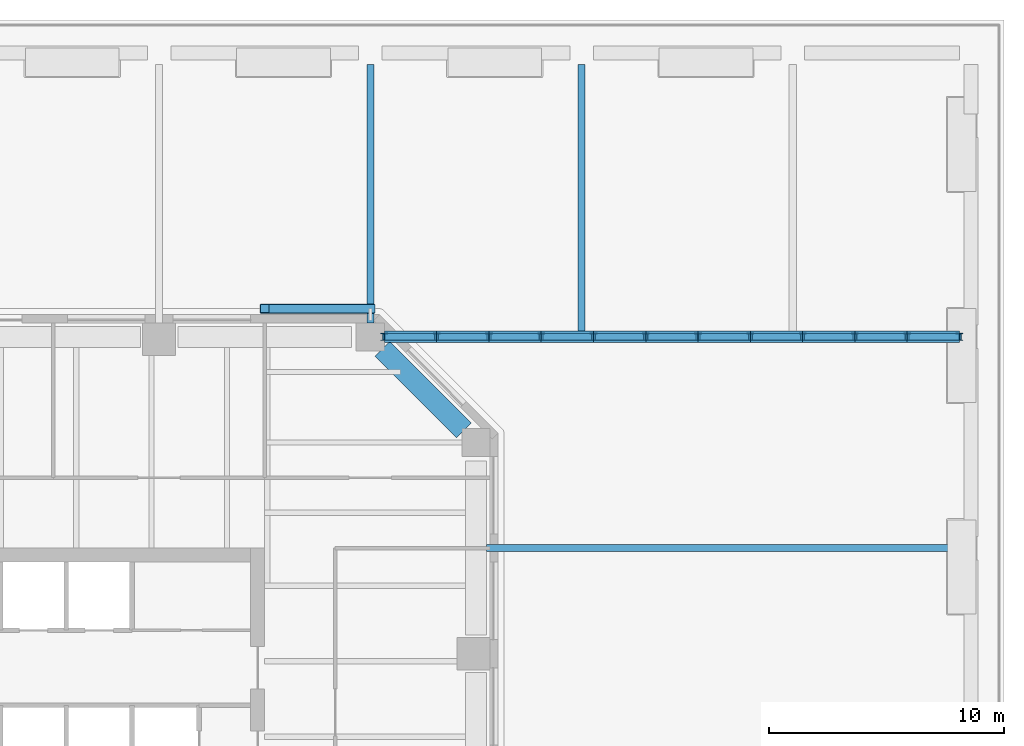
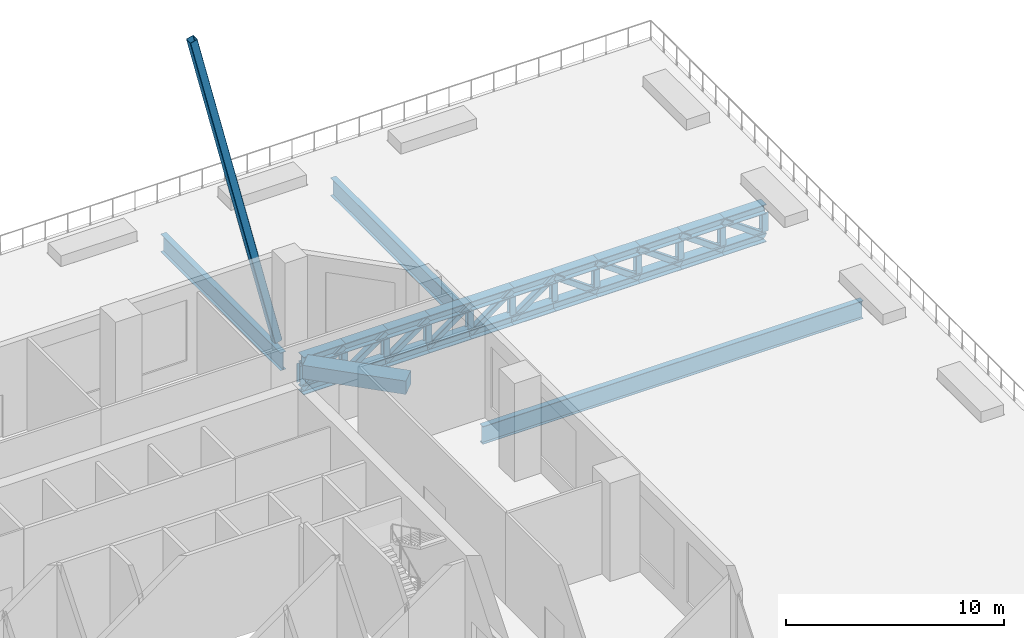
# One storey, part 15 of 33: 35 members, 15 beams.
"""IFC4 building model written with IfcOpenShell, lengths in metres."""

from ifc_helpers import new_model, si_unit, direction, frame, origin, origin_2d, place, context, subcontext, project, spatial, rectangle, hollow_rectangle, i_section, extrude, material, material_profile, profile_set, type_object, element, save


model = new_model("IFC4")

# Units and contexts
model_context = context("Model", 3, precision=1e-05, world=origin(), true_north=direction((0.0, 1.0)))
body_context = subcontext(model_context, "Body", "Model", "MODEL_VIEW")
ifc_project = project(units=[si_unit("LENGTHUNIT", "METRE"), si_unit("AREAUNIT", "SQUARE_METRE"), si_unit("VOLUMEUNIT", "CUBIC_METRE"), si_unit("PLANEANGLEUNIT", "RADIAN"), si_unit("MASSUNIT", "GRAM", prefix="KILO")], contexts=[model_context])

# Site, building, storey
site_placement = place(None, origin())
site = spatial("IfcSite", under=ifc_project, at=site_placement, CompositionType="ELEMENT")
building_placement = place(site_placement, origin())
building = spatial("IfcBuilding", under=site, at=building_placement, Name="Quoin Convention Tower", CompositionType="ELEMENT")
storey_placement = place(building_placement, frame((0.0, 0.0, 8.0)))
storey = spatial("IfcBuildingStorey", under=building, at=storey_placement, Name="L01", CompositionType="ELEMENT", Elevation=8.0)

# Beams
ifc_material_1 = material(Name="Steel Grade 300", Category="steel")
ifc_material_profile_1 = material_profile(ifc_material_1, i_section(OverallWidth=0.300048828125, OverallDepth=1.0, WebThickness=0.01611328125, FlangeThickness=0.02001953125, at=origin_2d()), Name="1000WB215")
ifc_profile_set_1 = profile_set([ifc_material_profile_1], Name="Steel Grade 300")
beam_type_1 = type_object("IfcBeamType", Name="1000WB215", PredefinedType="BEAM", material=ifc_profile_set_1)
beam_1_placement = place(storey_placement, frame((72.0, 81.60009765625, -0.909912109375), z_axis=(0.0, 1.0, 0.0), x_axis=(-1.0, 0.0, 0.0)))
element("IfcBeam", 1, at=beam_1_placement, inside=storey, type_object=beam_type_1, Name="gir-L01-deck-N72000_81600", PredefinedType="BEAM", context=body_context, shape_type="SweptSolid", body=[
    extrude(i_section(OverallWidth=0.300048828125, OverallDepth=1.0, WebThickness=0.01611328125, FlangeThickness=0.02001953125, at=origin_2d()), origin(), (0.0, 0.0, 1.0), 11.0),
])
beam_2_placement = place(storey_placement, frame((81.0, 81.25, -0.909912109375), z_axis=(0.0, 1.0, 0.0), x_axis=(-1.0, 0.0, 0.0)))
element("IfcBeam", 2, at=beam_2_placement, inside=storey, type_object=beam_type_1, Name="gir-L01-deck-N81000_81250", PredefinedType="BEAM", context=body_context, shape_type="SweptSolid", body=[
    extrude(i_section(OverallWidth=0.300048828125, OverallDepth=1.0, WebThickness=0.01611328125, FlangeThickness=0.02001953125, at=origin_2d()), origin(), (0.0, 0.0, 1.0), 11.35009765625),
])
beam_3_placement = place(storey_placement, frame((76.949951171875, 72.0, -0.909912109375), z_axis=(1.0, 0.0, 0.0), x_axis=(0.0, 1.0, 0.0)))
element("IfcBeam", 3, at=beam_3_placement, inside=storey, type_object=beam_type_1, Name="gir-L01-deck-E76950_72000", PredefinedType="BEAM", context=body_context, shape_type="SweptSolid", body=[
    extrude(i_section(OverallWidth=0.300048828125, OverallDepth=1.0, WebThickness=0.01611328125, FlangeThickness=0.02001953125, at=origin_2d()), origin(), (0.0, 0.0, 1.0), 20.150146484375),
])

# Members
ifc_material_2 = material(Name="Steel C450L0", Category="steel")
ifc_material_profile_2 = material_profile(ifc_material_2, hollow_rectangle(XDim=0.300048828125, YDim=0.300048828125, WallThickness=0.012451171875, InnerFilletRadius=0.018798828125, OuterFilletRadius=0.03125, at=origin_2d()), Name="300x300x12.5SHS")
ifc_profile_set_2 = profile_set([ifc_material_profile_2], Name="Steel C450L0")
member_type_1 = type_object("IfcMemberType", Name="300x300x12.5SHS", PredefinedType="BRACE", material=ifc_profile_set_2)
for number, where, z_axis, x_axis, name in (
    (4, (72.60009765625, 81.0, -2.2529296875), (0.814595312066, 0.0, 0.580029721274), (0.0, 1.0, 0.0), "Deck truss deck-72600_81000 diagonal 1"),
    (5, (74.827392578125, 81.0, -2.2529296875), (0.814565268456, 0.0, 0.580071912288), (0.0, 1.0, 0.0), "Deck truss deck-72600_81000 diagonal 2"),
    (6, (77.054443359375, 81.0, -2.2529296875), (0.814595312066, 0.0, 0.580029721274), (0.0, 1.0, 0.0), "Deck truss deck-72600_81000 diagonal 3"),
    (7, (79.28173828125, 81.0, -2.2529296875), (0.814595312066, 0.0, 0.580029721274), (0.0, 1.0, 0.0), "Deck truss deck-72600_81000 diagonal 4"),
    (8, (81.509033203125, 81.0, -2.2529296875), (0.814595312066, 0.0, 0.580029721274), (0.0, 1.0, 0.0), "Deck truss deck-72600_81000 diagonal 5"),
    (9, (83.736328125, 81.0, -2.2529296875), (0.814595312066, 0.0, 0.580029721274), (0.0, 1.0, 0.0), "Deck truss deck-72600_81000 diagonal 6"),
    (10, (85.963623046875, 81.0, -0.6669921875), (0.814595312066, 0.0, -0.580029721274), (0.0, 1.0, 0.0), "Deck truss deck-72600_81000 diagonal 7"),
    (11, (88.19091796875, 81.0, -0.6669921875), (0.814595312066, 0.0, -0.580029721274), (0.0, 1.0, 0.0), "Deck truss deck-72600_81000 diagonal 8"),
    (12, (90.418212890625, 81.0, -0.6669921875), (0.814595312066, 0.0, -0.580029721274), (0.0, 1.0, 0.0), "Deck truss deck-72600_81000 diagonal 9"),
    (13, (92.6455078125, 81.0, -0.6669921875), (0.814595312066, 0.0, -0.580029721274), (0.0, 1.0, 0.0), "Deck truss deck-72600_81000 diagonal 10"),
    (14, (94.872802734375, 81.0, -0.6669921875), (0.814595312066, 0.0, -0.580029721274), (0.0, 1.0, 0.0), "Deck truss deck-72600_81000 diagonal 11"),
):
    element("IfcMember", number, at=place(storey_placement, frame(where, z_axis=z_axis, x_axis=x_axis)), inside=storey, type_object=member_type_1, Name=name, PredefinedType="BRACE", context=body_context, shape_type="SweptSolid", body=[
        extrude(hollow_rectangle(XDim=0.300048828125, YDim=0.300048828125, WallThickness=0.012451171875, InnerFilletRadius=0.018798828125, OuterFilletRadius=0.03125, at=origin_2d()), origin(), (0.0, 0.0, 1.0), 2.734130859375),
    ])
ifc_material_profile_3 = material_profile(ifc_material_1, i_section(OverallWidth=0.304931640625, OverallDepth=0.30810546875, WebThickness=0.010009765625, FlangeThickness=0.015380859375, FilletRadius=0.0166015625, at=origin_2d()), Name="310UC96.8")
ifc_profile_set_3 = profile_set([ifc_material_profile_3], Name="Steel Grade 300")
member_type_2 = type_object("IfcMemberType", Name="310UC96.8", PredefinedType="POST", material=ifc_profile_set_3)
for number, where, z_axis, x_axis, name in (
    (15, (72.60009765625, 81.0, -1.99609375), (0.0, 0.0, 1.0), (1.0, 0.0, 0.0), "Deck truss deck-72600_81000 post 1"),
    (16, (74.827392578125, 81.0, -1.99609375), (0.0, 0.0, 1.0), (1.0, 0.0, 0.0), "Deck truss deck-72600_81000 post 2"),
    (17, (77.054443359375, 81.0, -1.99609375), (0.0, 0.0, 1.0), (1.0, 0.0, 0.0), "Deck truss deck-72600_81000 post 3"),
    (18, (79.28173828125, 81.0, -1.99609375), (0.0, 0.0, 1.0), (1.0, 0.0, 0.0), "Deck truss deck-72600_81000 post 4"),
    (19, (81.509033203125, 81.0, -1.99609375), (0.0, 0.0, 1.0), (1.0, 0.0, 0.0), "Deck truss deck-72600_81000 post 5"),
    (20, (83.736328125, 81.0, -1.99609375), (0.0, 0.0, 1.0), (1.0, 0.0, 0.0), "Deck truss deck-72600_81000 post 6"),
    (21, (85.963623046875, 81.0, -1.99609375), (0.0, 0.0, 1.0), (1.0, 0.0, 0.0), "Deck truss deck-72600_81000 post 7"),
    (22, (88.19091796875, 81.0, -1.99609375), (0.0, 0.0, 1.0), (1.0, 0.0, 0.0), "Deck truss deck-72600_81000 post 8"),
    (23, (90.418212890625, 81.0, -1.99609375), (0.0, 0.0, 1.0), (1.0, 0.0, 0.0), "Deck truss deck-72600_81000 post 9"),
    (24, (92.6455078125, 81.0, -1.99609375), (0.0, 0.0, 1.0), (1.0, 0.0, 0.0), "Deck truss deck-72600_81000 post 10"),
    (25, (94.872802734375, 81.0, -1.99609375), (0.0, 0.0, 1.0), (1.0, 0.0, 0.0), "Deck truss deck-72600_81000 post 11"),
    (26, (97.10009765625, 81.0, -1.99609375), (0.0, 0.0, 1.0), (1.0, 0.0, 0.0), "Deck truss deck-72600_81000 post 12"),
):
    element("IfcMember", number, at=place(storey_placement, frame(where, z_axis=z_axis, x_axis=x_axis)), inside=storey, type_object=member_type_2, Name=name, PredefinedType="POST", context=body_context, shape_type="SweptSolid", body=[
        extrude(i_section(OverallWidth=0.304931640625, OverallDepth=0.30810546875, WebThickness=0.010009765625, FlangeThickness=0.015380859375, FilletRadius=0.0166015625, at=origin_2d()), origin(), (0.0, 0.0, 1.0), 1.072021484375),
    ])
ifc_material_profile_4 = material_profile(ifc_material_1, i_section(OverallWidth=0.5, OverallDepth=0.513916015625, WebThickness=0.02490234375, FlangeThickness=0.031982421875, at=origin_2d()), Name="500WC340")
ifc_profile_set_4 = profile_set([ifc_material_profile_4], Name="Steel Grade 300")
member_type_3 = type_object("IfcMemberType", Name="500WC340", PredefinedType="CHORD", material=ifc_profile_set_4)
member_1_placement = place(storey_placement, frame((72.60009765625, 81.0, -2.2529296875), z_axis=(1.0, 0.0, 0.0), x_axis=(0.0, 1.0, 0.0)))
element("IfcMember", 27, at=member_1_placement, inside=storey, type_object=member_type_3, Name="Deck truss deck-72600_81000 bottom chord 1", PredefinedType="CHORD", context=body_context, shape_type="SweptSolid", body=[
    extrude(i_section(OverallWidth=0.5, OverallDepth=0.513916015625, WebThickness=0.02490234375, FlangeThickness=0.031982421875, at=origin_2d()), origin(), (0.0, 0.0, 1.0), 2.227294921875),
])
member_2_placement = place(storey_placement, frame((74.827392578125, 81.0, -2.2529296875), z_axis=(1.0, 0.0, 0.0), x_axis=(0.0, 1.0, 0.0)))
element("IfcMember", 28, at=member_2_placement, inside=storey, type_object=member_type_3, Name="Deck truss deck-72600_81000 bottom chord 2", PredefinedType="CHORD", context=body_context, shape_type="SweptSolid", body=[
    extrude(i_section(OverallWidth=0.5, OverallDepth=0.513916015625, WebThickness=0.02490234375, FlangeThickness=0.031982421875, at=origin_2d()), origin(), (0.0, 0.0, 1.0), 2.22705078125),
])
for number, where, z_axis, x_axis, name in (
    (29, (77.054443359375, 81.0, -2.2529296875), (1.0, 0.0, 0.0), (0.0, 1.0, 0.0), "Deck truss deck-72600_81000 bottom chord 3"),
    (30, (79.28173828125, 81.0, -2.2529296875), (1.0, 0.0, 0.0), (0.0, 1.0, 0.0), "Deck truss deck-72600_81000 bottom chord 4"),
    (31, (81.509033203125, 81.0, -2.2529296875), (1.0, 0.0, 0.0), (0.0, 1.0, 0.0), "Deck truss deck-72600_81000 bottom chord 5"),
    (32, (83.736328125, 81.0, -2.2529296875), (1.0, 0.0, 0.0), (0.0, 1.0, 0.0), "Deck truss deck-72600_81000 bottom chord 6"),
    (33, (85.963623046875, 81.0, -2.2529296875), (1.0, 0.0, 0.0), (0.0, 1.0, 0.0), "Deck truss deck-72600_81000 bottom chord 7"),
    (34, (88.19091796875, 81.0, -2.2529296875), (1.0, 0.0, 0.0), (0.0, 1.0, 0.0), "Deck truss deck-72600_81000 bottom chord 8"),
    (35, (90.418212890625, 81.0, -2.2529296875), (1.0, 0.0, 0.0), (0.0, 1.0, 0.0), "Deck truss deck-72600_81000 bottom chord 9"),
    (36, (92.6455078125, 81.0, -2.2529296875), (1.0, 0.0, 0.0), (0.0, 1.0, 0.0), "Deck truss deck-72600_81000 bottom chord 10"),
    (37, (94.872802734375, 81.0, -2.2529296875), (1.0, 0.0, 0.0), (0.0, 1.0, 0.0), "Deck truss deck-72600_81000 bottom chord 11"),
):
    element("IfcMember", number, at=place(storey_placement, frame(where, z_axis=z_axis, x_axis=x_axis)), inside=storey, type_object=member_type_3, Name=name, PredefinedType="CHORD", context=body_context, shape_type="SweptSolid", body=[
        extrude(i_section(OverallWidth=0.5, OverallDepth=0.513916015625, WebThickness=0.02490234375, FlangeThickness=0.031982421875, at=origin_2d()), origin(), (0.0, 0.0, 1.0), 2.227294921875),
    ])

# Beams
ifc_material_profile_5 = material_profile(ifc_material_1, i_section(OverallWidth=0.5, OverallDepth=0.513916015625, WebThickness=0.02490234375, FlangeThickness=0.031982421875, at=origin_2d()), Name="500WC340")
ifc_profile_set_5 = profile_set([ifc_material_profile_5], Name="Steel Grade 300")
beam_type_2 = type_object("IfcBeamType", Name="Deck truss chord 500WC340", PredefinedType="BEAM", material=ifc_profile_set_5)
beam_4_placement = place(storey_placement, frame((72.60009765625, 81.0, -0.6669921875), z_axis=(1.0, 0.0, 0.0), x_axis=(0.0, 1.0, 0.0)))
element("IfcBeam", 38, at=beam_4_placement, inside=storey, type_object=beam_type_2, Name="Deck truss deck-72600_81000 top chord 1", PredefinedType="BEAM", context=body_context, shape_type="SweptSolid", body=[
    extrude(i_section(OverallWidth=0.5, OverallDepth=0.513916015625, WebThickness=0.02490234375, FlangeThickness=0.031982421875, at=origin_2d()), origin(), (0.0, 0.0, 1.0), 2.227294921875),
])
beam_5_placement = place(storey_placement, frame((74.827392578125, 81.0, -0.6669921875), z_axis=(1.0, 0.0, 0.0), x_axis=(0.0, 1.0, 0.0)))
element("IfcBeam", 39, at=beam_5_placement, inside=storey, type_object=beam_type_2, Name="Deck truss deck-72600_81000 top chord 2", PredefinedType="BEAM", context=body_context, shape_type="SweptSolid", body=[
    extrude(i_section(OverallWidth=0.5, OverallDepth=0.513916015625, WebThickness=0.02490234375, FlangeThickness=0.031982421875, at=origin_2d()), origin(), (0.0, 0.0, 1.0), 2.22705078125),
])
for number, where, z_axis, x_axis, name in (
    (40, (77.054443359375, 81.0, -0.6669921875), (1.0, 0.0, 0.0), (0.0, 1.0, 0.0), "Deck truss deck-72600_81000 top chord 3"),
    (41, (79.28173828125, 81.0, -0.6669921875), (1.0, 0.0, 0.0), (0.0, 1.0, 0.0), "Deck truss deck-72600_81000 top chord 4"),
    (42, (81.509033203125, 81.0, -0.6669921875), (1.0, 0.0, 0.0), (0.0, 1.0, 0.0), "Deck truss deck-72600_81000 top chord 5"),
    (43, (83.736328125, 81.0, -0.6669921875), (1.0, 0.0, 0.0), (0.0, 1.0, 0.0), "Deck truss deck-72600_81000 top chord 6"),
    (44, (85.963623046875, 81.0, -0.6669921875), (1.0, 0.0, 0.0), (0.0, 1.0, 0.0), "Deck truss deck-72600_81000 top chord 7"),
    (45, (88.19091796875, 81.0, -0.6669921875), (1.0, 0.0, 0.0), (0.0, 1.0, 0.0), "Deck truss deck-72600_81000 top chord 8"),
    (46, (90.418212890625, 81.0, -0.6669921875), (1.0, 0.0, 0.0), (0.0, 1.0, 0.0), "Deck truss deck-72600_81000 top chord 9"),
    (47, (92.6455078125, 81.0, -0.6669921875), (1.0, 0.0, 0.0), (0.0, 1.0, 0.0), "Deck truss deck-72600_81000 top chord 10"),
    (48, (94.872802734375, 81.0, -0.6669921875), (1.0, 0.0, 0.0), (0.0, 1.0, 0.0), "Deck truss deck-72600_81000 top chord 11"),
):
    element("IfcBeam", number, at=place(storey_placement, frame(where, z_axis=z_axis, x_axis=x_axis)), inside=storey, type_object=beam_type_2, Name=name, PredefinedType="BEAM", context=body_context, shape_type="SweptSolid", body=[
        extrude(i_section(OverallWidth=0.5, OverallDepth=0.513916015625, WebThickness=0.02490234375, FlangeThickness=0.031982421875, at=origin_2d()), origin(), (0.0, 0.0, 1.0), 2.227294921875),
    ])

# Member
ifc_material_profile_6 = material_profile(ifc_material_2, hollow_rectangle(XDim=0.39990234375, YDim=0.39990234375, WallThickness=0.01611328125, InnerFilletRadius=0.02392578125, OuterFilletRadius=0.0400390625, at=origin_2d()), Name="400x400x16.0SHS")
ifc_profile_set_6 = profile_set([ifc_material_profile_6], Name="Steel C450L0")
member_type_4 = type_object("IfcMemberType", Name="Exposed brace 400x400x16.0SHS", PredefinedType="BRACE", material=ifc_profile_set_6)
member_3_placement = place(storey_placement, frame((72.0, 82.199951171875, -0.074951171875), z_axis=(-0.237564979371, 0.0, 0.971371649049), x_axis=(0.0, -1.0, 0.0)))
element("IfcMember", 49, at=member_3_placement, inside=storey, type_object=member_type_4, Name="brc-L01-72000_81000-67500_81000", PredefinedType="BRACE", context=body_context, shape_type="SweptSolid", body=[
    extrude(hollow_rectangle(XDim=0.39990234375, YDim=0.39990234375, WallThickness=0.01611328125, InnerFilletRadius=0.02392578125, OuterFilletRadius=0.0400390625, at=origin_2d()), origin(), (0.0, 0.0, 1.0), 18.942138671875),
])

# Beam
ifc_material_3 = material(Name="Concrete C100 (100 MPa)", Category="concrete")
ifc_material_profile_7 = material_profile(ifc_material_3, rectangle(XDim=0.89990234375, YDim=0.75, at=origin_2d()), Name="RC 900x750")
ifc_profile_set_7 = profile_set([ifc_material_profile_7], Name="Concrete C100 (100 MPa)")
beam_type_3 = type_object("IfcBeamType", Name="RC 900x750 C100", PredefinedType="SPANDREL", material=ifc_profile_set_7)
beam_6_placement = place(storey_placement, frame((75.98486328125, 77.01513671875, -0.72509765625), z_axis=(-0.707106781187, 0.707106781187, 0.0), x_axis=(-0.707106781187, -0.707106781187, 0.0)))
element("IfcBeam", 50, at=beam_6_placement, inside=storey, type_object=beam_type_3, Name="spd-L01-76500_76500-72000_81000", PredefinedType="SPANDREL", context=body_context, shape_type="SweptSolid", body=[
    extrude(rectangle(XDim=0.89990234375, YDim=0.75, at=origin_2d()), origin(), (0.0, 0.0, 1.0), 4.906982421875),
])

save(model, "model.ifc")
